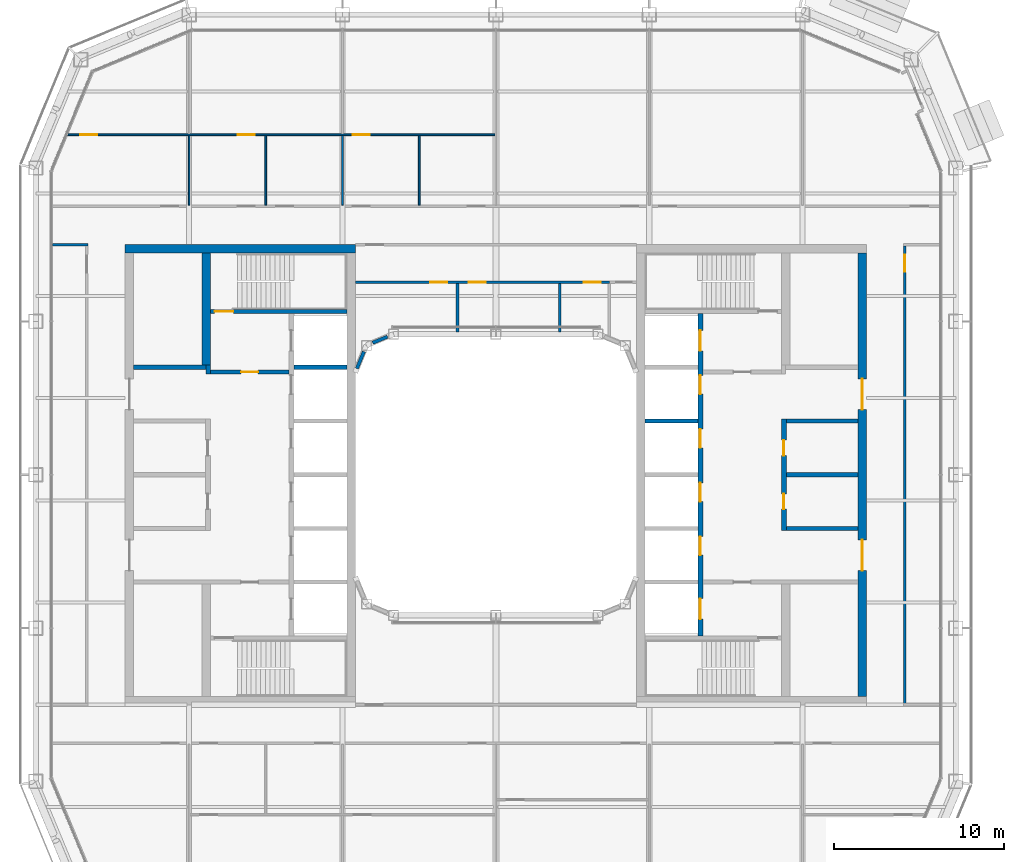
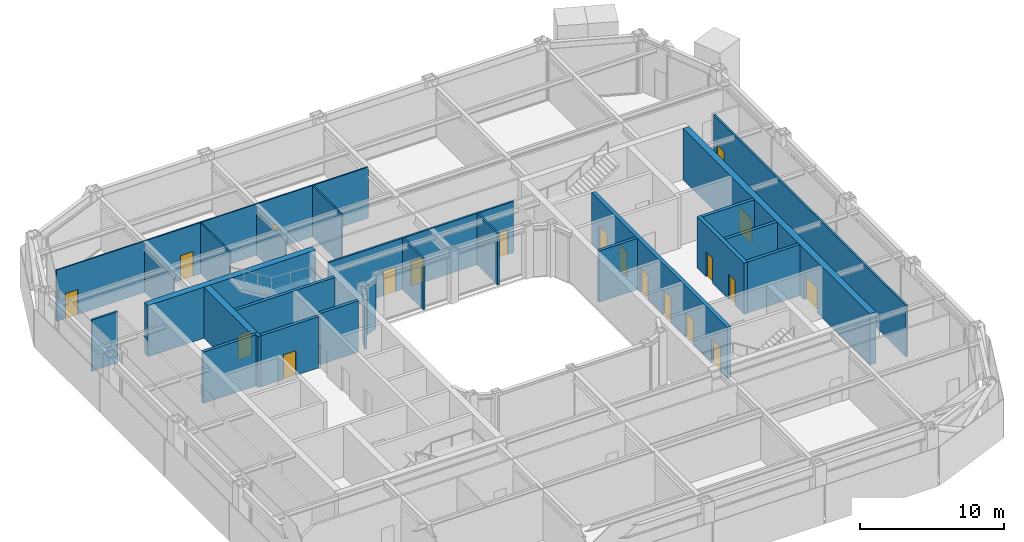
# One storey, part 14 of 23: 26 walls, 19 doors, 19 openings.
"""IFC4 building model written with IfcOpenShell, lengths in metres."""

from ifc_helpers import new_model, si_unit, direction, frame, frame_2d, origin, place, context, subcontext, project, spatial, rectangle, extrude, material, layer, layer_set, type_object, element, fill, save


model = new_model("IFC4")

# Units and contexts
model_context = context("Model", 3, precision=1e-05, world=origin(), true_north=direction((0.0, 1.0)))
body_context = subcontext(model_context, "Body", "Model", "MODEL_VIEW")
ifc_project = project(units=[si_unit("LENGTHUNIT", "METRE"), si_unit("AREAUNIT", "SQUARE_METRE"), si_unit("VOLUMEUNIT", "CUBIC_METRE"), si_unit("PLANEANGLEUNIT", "RADIAN"), si_unit("MASSUNIT", "GRAM", prefix="KILO")], contexts=[model_context])

# Site, building, storey
site_placement = place(None, origin())
site = spatial("IfcSite", under=ifc_project, at=site_placement, CompositionType="ELEMENT")
building_placement = place(site_placement, origin())
building = spatial("IfcBuilding", under=site, at=building_placement, Name="Siwar Civic Tower", CompositionType="ELEMENT")
storey_placement = place(building_placement, frame((0.0, 0.0, 224.199951171875)))
storey = spatial("IfcBuildingStorey", under=building, at=storey_placement, Name="L48", CompositionType="ELEMENT", Elevation=224.199951171875)

# Wall, opening, door
ifc_material_1 = material(Name="Concrete C60/75", Category="concrete")
ifc_layer_1 = layer(ifc_material_1, 0.25)
ifc_layer_set_1 = layer_set([ifc_layer_1], Name="Concrete C60/75")
wall_type_1 = type_object("IfcWallType", Name="CORE-WALL-RC250", PredefinedType="SHEAR", material=ifc_layer_set_1)
wall_1_placement = place(storey_placement, frame((-12.14990234375, 6.02490234375, 0.0), z_axis=(0.0, 0.0, 1.0), x_axis=(-1.0, 0.0, 0.0)))
wall_1 = element("IfcWall", 1, at=wall_1_placement, inside=storey, type_object=wall_type_1, Name="Core wall W", PredefinedType="SHEAR", context=body_context, shape_type="SweptSolid", body=[
    extrude(rectangle(XDim=4.60009765625, YDim=0.25, at=frame_2d((2.300048828125, 0.0))), origin(), (0.0, 0.0, 1.0), 4.35009765625),
])
opening_1_placement = place(wall_1_placement, frame((1.800048828125, 0.0, 0.0)))
opening_1 = element("IfcOpeningElement", 2, at=opening_1_placement, cuts=wall_1, Name="Opening L48-CW01", PredefinedType="OPENING", context=body_context, shape_type="SweptSolid", body=[
    extrude(rectangle(XDim=1.0, YDim=2.10009765625, at=frame_2d((0.5, 1.050048828125))), frame((0.0, 0.135009765625, 0.0), z_axis=(0.0, -1.0, 0.0), x_axis=(1.0, 0.0, 0.0)), (0.0, 0.0, 1.0), 0.27001953125),
])
ifc_material_2 = material(Name="Steel door leaf", Category="steel")
door_type_1 = type_object("IfcDoorType", Name="CORE-DOOR-FD30S", OperationType="SINGLE_SWING_LEFT", PredefinedType="DOOR", material=ifc_material_2)
door_1_placement = place(opening_1_placement, origin())
door_1 = element("IfcDoor", 3, at=door_1_placement, inside=storey, type_object=door_type_1, Name="Firefighting lobby door L48-CW01", OperationType="SINGLE_SWING_LEFT", OverallHeight=2.10009765625, OverallWidth=1.0, PredefinedType="DOOR", context=body_context, shape_type="SweptSolid", body=[
    extrude(rectangle(XDim=1.0, YDim=2.10009765625, at=frame_2d((0.5, 1.050048828125))), frame((0.0, 0.02490234375, 0.0), z_axis=(0.0, -1.0, 0.0), x_axis=(1.0, 0.0, 0.0)), (0.0, 0.0, 1.0), 0.050048828125),
])
fill(opening_1, door_1)

# Walls
wall_2_placement = place(storey_placement, frame((-16.875, 5.89990234375, 0.0), z_axis=(0.0, 0.0, 1.0), x_axis=(0.0, 1.0, 0.0)))
element("IfcWall", 4, at=wall_2_placement, inside=storey, type_object=wall_type_1, Name="Core wall W", PredefinedType="SHEAR", context=body_context, shape_type="SweptSolid", body=[
    extrude(rectangle(XDim=0.525146484375, YDim=0.25, at=frame_2d((0.2626953125, 0.0))), origin(), (0.0, 0.0, 1.0), 4.35009765625),
])
wall_3_placement = place(storey_placement, frame((-17.0, 6.300048828125, 0.0), z_axis=(0.0, 0.0, 1.0), x_axis=(-1.0, 0.0, 0.0)))
element("IfcWall", 5, at=wall_3_placement, inside=storey, type_object=wall_type_1, Name="Core wall W", PredefinedType="SHEAR", context=body_context, shape_type="SweptSolid", body=[
    extrude(rectangle(XDim=4.25, YDim=0.25, at=frame_2d((2.125, 0.0))), origin(), (0.0, 0.0, 1.0), 4.35009765625),
])
wall_4_placement = place(storey_placement, frame((-8.75, 6.300048828125, 0.0), z_axis=(0.0, 0.0, 1.0), x_axis=(-1.0, 0.0, 0.0)))
element("IfcWall", 6, at=wall_4_placement, inside=storey, type_object=wall_type_1, Name="Core wall W", PredefinedType="SHEAR", context=body_context, shape_type="SweptSolid", body=[
    extrude(rectangle(XDim=3.10009765625, YDim=0.25, at=frame_2d((1.550048828125, 0.0))), origin(), (0.0, 0.0, 1.0), 4.35009765625),
])

# Wall, opening, door
wall_5_placement = place(storey_placement, frame((-8.75, 9.574951171875, 0.0), z_axis=(0.0, 0.0, 1.0), x_axis=(-1.0, 0.0, 0.0)))
wall_5 = element("IfcWall", 7, at=wall_5_placement, inside=storey, type_object=wall_type_1, Name="Core wall W", PredefinedType="SHEAR", context=body_context, shape_type="SweptSolid", body=[
    extrude(rectangle(XDim=8.0, YDim=0.25, at=frame_2d((4.0, 0.0))), origin(), (0.0, 0.0, 1.0), 4.35009765625),
])
opening_2_placement = place(wall_5_placement, frame((6.64990234375, 0.0, 0.0)))
opening_2 = element("IfcOpeningElement", 8, at=opening_2_placement, cuts=wall_5, Name="Opening L48-CW03", PredefinedType="OPENING", context=body_context, shape_type="SweptSolid", body=[
    extrude(rectangle(XDim=1.10009765625, YDim=2.10009765625, at=frame_2d((0.550048828125, 1.050048828125))), frame((0.0, 0.135009765625, 0.0), z_axis=(0.0, -1.0, 0.0), x_axis=(1.0, 0.0, 0.0)), (0.0, 0.0, 1.0), 0.27001953125),
])
ifc_material_3 = material(Name="Steel door leaf", Category="steel")
door_type_2 = type_object("IfcDoorType", Name="CORE-DOOR-FD60S", OperationType="SINGLE_SWING_LEFT", PredefinedType="DOOR", material=ifc_material_3)
door_2_placement = place(opening_2_placement, origin())
door_2 = element("IfcDoor", 9, at=door_2_placement, inside=storey, type_object=door_type_2, Name="Stair door L48-CW03", OperationType="SINGLE_SWING_RIGHT", OverallHeight=2.10009765625, OverallWidth=1.10009765625, PredefinedType="DOOR", context=body_context, shape_type="SweptSolid", body=[
    extrude(rectangle(XDim=1.10009765625, YDim=2.10009765625, at=frame_2d((0.550048828125, 1.050048828125))), frame((0.0, 0.02490234375, 0.0), z_axis=(0.0, -1.0, 0.0), x_axis=(1.0, 0.0, 0.0)), (0.0, 0.0, 1.0), 0.050048828125),
])
fill(opening_2, door_2)

# Walls
for number, where, z_axis, x_axis, name in (
    (10, (17.050048828125, 0.0, 0.0), (0.0, 0.0, 1.0), (1.0, 0.0, 0.0), "Core wall E"),
    (11, (17.050048828125, 3.14990234375, 0.0), (0.0, 0.0, 1.0), (1.0, 0.0, 0.0), "Core wall E"),
    (12, (17.050048828125, -3.14990234375, 0.0), (0.0, 0.0, 1.0), (1.0, 0.0, 0.0), "Core wall E"),
):
    element("IfcWall", number, at=place(storey_placement, frame(where, z_axis=z_axis, x_axis=x_axis)), inside=storey, type_object=wall_type_1, Name=name, PredefinedType="SHEAR", context=body_context, shape_type="SweptSolid", body=[
        extrude(rectangle(XDim=4.199951171875, YDim=0.25, at=frame_2d((2.10009765625, 0.0))), origin(), (0.0, 0.0, 1.0), 4.35009765625),
    ])
wall_6_placement = place(storey_placement, frame((8.75, 3.14990234375, 0.0), z_axis=(0.0, 0.0, 1.0), x_axis=(1.0, 0.0, 0.0)))
element("IfcWall", 13, at=wall_6_placement, inside=storey, type_object=wall_type_1, Name="Core wall E", PredefinedType="SHEAR", context=body_context, shape_type="SweptSolid", body=[
    extrude(rectangle(XDim=3.10009765625, YDim=0.25, at=frame_2d((1.550048828125, 0.0))), origin(), (0.0, 0.0, 1.0), 4.35009765625),
])

# Wall, openings, doors
ifc_material_4 = material(Name="Concrete C60/75", Category="concrete")
ifc_layer_2 = layer(ifc_material_4, 0.300048828125)
ifc_layer_set_2 = layer_set([ifc_layer_2], Name="Concrete C60/75")
wall_type_2 = type_object("IfcWallType", Name="CORE-WALL-RC300", PredefinedType="SHEAR", material=ifc_layer_set_2)
wall_7_placement = place(storey_placement, frame((12.0, -9.449951171875, 0.0), z_axis=(0.0, 0.0, 1.0), x_axis=(0.0, 1.0, 0.0)))
wall_7 = element("IfcWall", 14, at=wall_7_placement, inside=storey, type_object=wall_type_2, Name="Core wall E", PredefinedType="SHEAR", context=body_context, shape_type="SweptSolid", body=[
    extrude(rectangle(XDim=18.89990234375, YDim=0.300048828125, at=frame_2d((9.449951171875, 0.0))), origin(), (0.0, 0.0, 1.0), 4.35009765625),
])
opening_3_placement = place(wall_7_placement, frame((4.72509765625, 0.0, 0.0)))
opening_3 = element("IfcOpeningElement", 15, at=opening_3_placement, cuts=wall_7, Name="Opening L48-CE07", PredefinedType="OPENING", context=body_context, shape_type="SweptSolid", body=[
    extrude(rectangle(XDim=1.10009765625, YDim=2.10009765625, at=frame_2d((0.550048828125, 1.050048828125))), frame((0.0, 0.16015625, 0.0), z_axis=(0.0, -1.0, 0.0), x_axis=(1.0, 0.0, 0.0)), (0.0, 0.0, 1.0), 0.320068359375),
])
opening_4_placement = place(wall_7_placement, frame((7.875, 0.0, 0.0)))
opening_4 = element("IfcOpeningElement", 16, at=opening_4_placement, cuts=wall_7, Name="Opening L48-CE08", PredefinedType="OPENING", context=body_context, shape_type="SweptSolid", body=[
    extrude(rectangle(XDim=1.10009765625, YDim=2.10009765625, at=frame_2d((0.550048828125, 1.050048828125))), frame((0.0, 0.16015625, 0.0), z_axis=(0.0, -1.0, 0.0), x_axis=(1.0, 0.0, 0.0)), (0.0, 0.0, 1.0), 0.320068359375),
])
opening_5_placement = place(wall_7_placement, frame((11.02490234375, 0.0, 0.0)))
opening_5 = element("IfcOpeningElement", 17, at=opening_5_placement, cuts=wall_7, Name="Opening L48-CE09", PredefinedType="OPENING", context=body_context, shape_type="SweptSolid", body=[
    extrude(rectangle(XDim=1.10009765625, YDim=2.10009765625, at=frame_2d((0.550048828125, 1.050048828125))), frame((0.0, 0.16015625, 0.0), z_axis=(0.0, -1.0, 0.0), x_axis=(1.0, 0.0, 0.0)), (0.0, 0.0, 1.0), 0.320068359375),
])
opening_6_placement = place(wall_7_placement, frame((14.175048828125, 0.0, 0.0)))
opening_6 = element("IfcOpeningElement", 18, at=opening_6_placement, cuts=wall_7, Name="Opening L48-CE10", PredefinedType="OPENING", context=body_context, shape_type="SweptSolid", body=[
    extrude(rectangle(XDim=1.10009765625, YDim=2.10009765625, at=frame_2d((0.550048828125, 1.050048828125))), frame((0.0, 0.16015625, 0.0), z_axis=(0.0, -1.0, 0.0), x_axis=(1.0, 0.0, 0.0)), (0.0, 0.0, 1.0), 0.320068359375),
])
opening_7_placement = place(wall_7_placement, frame((16.72509765625, 0.0, 0.0)))
opening_7 = element("IfcOpeningElement", 19, at=opening_7_placement, cuts=wall_7, Name="Opening L48-CE11", PredefinedType="OPENING", context=body_context, shape_type="SweptSolid", body=[
    extrude(rectangle(XDim=1.199951171875, YDim=2.10009765625, at=frame_2d((0.60009765625, 1.050048828125))), frame((0.0, 0.16015625, 0.0), z_axis=(0.0, -1.0, 0.0), x_axis=(1.0, 0.0, 0.0)), (0.0, 0.0, 1.0), 0.320068359375),
])
opening_8_placement = place(wall_7_placement, frame((0.97509765625, 0.0, 0.0)))
opening_8 = element("IfcOpeningElement", 20, at=opening_8_placement, cuts=wall_7, Name="Opening L48-CE12", PredefinedType="OPENING", context=body_context, shape_type="SweptSolid", body=[
    extrude(rectangle(XDim=1.199951171875, YDim=2.10009765625, at=frame_2d((0.60009765625, 1.050048828125))), frame((0.0, 0.16015625, 0.0), z_axis=(0.0, -1.0, 0.0), x_axis=(1.0, 0.0, 0.0)), (0.0, 0.0, 1.0), 0.320068359375),
])
ifc_material_5 = material(Name="Steel door leaf", Category="steel")
door_type_3 = type_object("IfcDoorType", Name="CORE-DOOR-LD", OperationType="DOUBLE_DOOR_SLIDING", PredefinedType="DOOR", material=ifc_material_5)
door_3_placement = place(opening_3_placement, origin())
door_3 = element("IfcDoor", 21, at=door_3_placement, inside=storey, type_object=door_type_3, Name="Landing door HR5 L48-CE07", OperationType="DOUBLE_DOOR_SLIDING", OverallHeight=2.10009765625, OverallWidth=1.10009765625, PredefinedType="DOOR", context=body_context, shape_type="SweptSolid", body=[
    extrude(rectangle(XDim=1.10009765625, YDim=2.10009765625, at=frame_2d((0.550048828125, 1.050048828125))), frame((0.0, 0.02490234375, 0.0), z_axis=(0.0, -1.0, 0.0), x_axis=(1.0, 0.0, 0.0)), (0.0, 0.0, 1.0), 0.050048828125),
])
fill(opening_3, door_3)
door_4_placement = place(opening_4_placement, origin())
door_4 = element("IfcDoor", 22, at=door_4_placement, inside=storey, type_object=door_type_3, Name="Landing door HR6 L48-CE08", OperationType="DOUBLE_DOOR_SLIDING", OverallHeight=2.10009765625, OverallWidth=1.10009765625, PredefinedType="DOOR", context=body_context, shape_type="SweptSolid", body=[
    extrude(rectangle(XDim=1.10009765625, YDim=2.10009765625, at=frame_2d((0.550048828125, 1.050048828125))), frame((0.0, 0.02490234375, 0.0), z_axis=(0.0, -1.0, 0.0), x_axis=(1.0, 0.0, 0.0)), (0.0, 0.0, 1.0), 0.050048828125),
])
fill(opening_4, door_4)
door_5_placement = place(opening_5_placement, origin())
door_5 = element("IfcDoor", 23, at=door_5_placement, inside=storey, type_object=door_type_3, Name="Landing door HR7 L48-CE09", OperationType="DOUBLE_DOOR_SLIDING", OverallHeight=2.10009765625, OverallWidth=1.10009765625, PredefinedType="DOOR", context=body_context, shape_type="SweptSolid", body=[
    extrude(rectangle(XDim=1.10009765625, YDim=2.10009765625, at=frame_2d((0.550048828125, 1.050048828125))), frame((0.0, 0.02490234375, 0.0), z_axis=(0.0, -1.0, 0.0), x_axis=(1.0, 0.0, 0.0)), (0.0, 0.0, 1.0), 0.050048828125),
])
fill(opening_5, door_5)
door_6_placement = place(opening_6_placement, origin())
door_6 = element("IfcDoor", 24, at=door_6_placement, inside=storey, type_object=door_type_3, Name="Landing door HR8 L48-CE10", OperationType="DOUBLE_DOOR_SLIDING", OverallHeight=2.10009765625, OverallWidth=1.10009765625, PredefinedType="DOOR", context=body_context, shape_type="SweptSolid", body=[
    extrude(rectangle(XDim=1.10009765625, YDim=2.10009765625, at=frame_2d((0.550048828125, 1.050048828125))), frame((0.0, 0.02490234375, 0.0), z_axis=(0.0, -1.0, 0.0), x_axis=(1.0, 0.0, 0.0)), (0.0, 0.0, 1.0), 0.050048828125),
])
fill(opening_6, door_6)
ifc_material_6 = material(Name="Steel door leaf", Category="steel")
door_type_4 = type_object("IfcDoorType", Name="CORE-DOOR-LDW", OperationType="DOUBLE_DOOR_SLIDING", PredefinedType="DOOR", material=ifc_material_6)
door_7_placement = place(opening_7_placement, origin())
door_7 = element("IfcDoor", 25, at=door_7_placement, inside=storey, type_object=door_type_4, Name="Landing door FF2 L48-CE11", OperationType="DOUBLE_DOOR_SLIDING", OverallHeight=2.10009765625, OverallWidth=1.199951171875, PredefinedType="DOOR", context=body_context, shape_type="SweptSolid", body=[
    extrude(rectangle(XDim=1.199951171875, YDim=2.10009765625, at=frame_2d((0.60009765625, 1.050048828125))), frame((0.0, 0.02490234375, 0.0), z_axis=(0.0, -1.0, 0.0), x_axis=(1.0, 0.0, 0.0)), (0.0, 0.0, 1.0), 0.050048828125),
])
fill(opening_7, door_7)
door_8_placement = place(opening_8_placement, origin())
door_8 = element("IfcDoor", 26, at=door_8_placement, inside=storey, type_object=door_type_4, Name="Landing door SV2 L48-CE12", OperationType="DOUBLE_DOOR_SLIDING", OverallHeight=2.10009765625, OverallWidth=1.199951171875, PredefinedType="DOOR", context=body_context, shape_type="SweptSolid", body=[
    extrude(rectangle(XDim=1.199951171875, YDim=2.10009765625, at=frame_2d((0.60009765625, 1.050048828125))), frame((0.0, 0.02490234375, 0.0), z_axis=(0.0, -1.0, 0.0), x_axis=(1.0, 0.0, 0.0)), (0.0, 0.0, 1.0), 0.050048828125),
])
fill(opening_8, door_8)

wall_8_placement = place(storey_placement, frame((16.89990234375, -3.27490234375, 0.0), z_axis=(0.0, 0.0, 1.0), x_axis=(0.0, 1.0, 0.0)))
wall_8 = element("IfcWall", 27, at=wall_8_placement, inside=storey, type_object=wall_type_2, Name="Core wall E", PredefinedType="SHEAR", context=body_context, shape_type="SweptSolid", body=[
    extrude(rectangle(XDim=6.5498046875, YDim=0.300048828125, at=frame_2d((3.27490234375, 0.0))), origin(), (0.0, 0.0, 1.0), 4.35009765625),
])
opening_9_placement = place(wall_8_placement, frame((1.25, 0.0, 0.0)))
opening_9 = element("IfcOpeningElement", 28, at=opening_9_placement, cuts=wall_8, Name="Opening L48-CE13", PredefinedType="OPENING", context=body_context, shape_type="SweptSolid", body=[
    extrude(rectangle(XDim=0.89990234375, YDim=2.10009765625, at=frame_2d((0.449951171875, 1.050048828125))), frame((0.0, 0.16015625, 0.0), z_axis=(0.0, -1.0, 0.0), x_axis=(1.0, 0.0, 0.0)), (0.0, 0.0, 1.0), 0.320068359375),
])
opening_10_placement = place(wall_8_placement, frame((4.39990234375, 0.0, 0.0)))
opening_10 = element("IfcOpeningElement", 29, at=opening_10_placement, cuts=wall_8, Name="Opening L48-CE14", PredefinedType="OPENING", context=body_context, shape_type="SweptSolid", body=[
    extrude(rectangle(XDim=0.89990234375, YDim=2.10009765625, at=frame_2d((0.449951171875, 1.050048828125))), frame((0.0, 0.16015625, 0.0), z_axis=(0.0, -1.0, 0.0), x_axis=(1.0, 0.0, 0.0)), (0.0, 0.0, 1.0), 0.320068359375),
])
ifc_material_7 = material(Name="Steel door leaf", Category="steel")
door_type_5 = type_object("IfcDoorType", Name="CORE-DOOR-ROOM", OperationType="SINGLE_SWING_LEFT", PredefinedType="DOOR", material=ifc_material_7)
door_9_placement = place(opening_9_placement, origin())
door_9 = element("IfcDoor", 30, at=door_9_placement, inside=storey, type_object=door_type_5, Name="Core room door L48-CE13", OperationType="SINGLE_SWING_RIGHT", OverallHeight=2.10009765625, OverallWidth=0.89990234375, PredefinedType="DOOR", context=body_context, shape_type="SweptSolid", body=[
    extrude(rectangle(XDim=0.89990234375, YDim=2.10009765625, at=frame_2d((0.449951171875, 1.050048828125))), frame((0.0, 0.02490234375, 0.0), z_axis=(0.0, -1.0, 0.0), x_axis=(1.0, 0.0, 0.0)), (0.0, 0.0, 1.0), 0.050048828125),
])
fill(opening_9, door_9)
door_10_placement = place(opening_10_placement, origin())
door_10 = element("IfcDoor", 31, at=door_10_placement, inside=storey, type_object=door_type_5, Name="Core room door L48-CE14", OperationType="SINGLE_SWING_LEFT", OverallHeight=2.10009765625, OverallWidth=0.89990234375, PredefinedType="DOOR", context=body_context, shape_type="SweptSolid", body=[
    extrude(rectangle(XDim=0.89990234375, YDim=2.10009765625, at=frame_2d((0.449951171875, 1.050048828125))), frame((0.0, 0.02490234375, 0.0), z_axis=(0.0, -1.0, 0.0), x_axis=(1.0, 0.0, 0.0)), (0.0, 0.0, 1.0), 0.050048828125),
])
fill(opening_10, door_10)

# Walls
ifc_material_8 = material(Name="Concrete C60/75", Category="concrete")
ifc_layer_3 = layer(ifc_material_8, 0.5)
ifc_layer_set_3 = layer_set([ifc_layer_3], Name="Concrete C60/75")
wall_type_3 = type_object("IfcWallType", Name="CORE-WALL-RC500", PredefinedType="SHEAR", material=ifc_layer_set_3)
wall_9_placement = place(storey_placement, frame((-17.0, 6.425048828125, 0.0), z_axis=(0.0, 0.0, 1.0), x_axis=(0.0, 1.0, 0.0)))
element("IfcWall", 32, at=wall_9_placement, inside=storey, type_object=wall_type_3, Name="Core wall W", PredefinedType="SHEAR", context=body_context, shape_type="SweptSolid", body=[
    extrude(rectangle(XDim=6.574951171875, YDim=0.5, at=frame_2d((3.28759765625, 0.0))), origin(), (0.0, 0.0, 1.0), 4.35009765625),
])
wall_10_placement = place(storey_placement, frame((-8.25, 13.25, 0.0), z_axis=(0.0, 0.0, 1.0), x_axis=(-1.0, 0.0, 0.0)))
element("IfcWall", 33, at=wall_10_placement, inside=storey, type_object=wall_type_3, Name="Core wall W", PredefinedType="SHEAR", context=body_context, shape_type="SweptSolid", body=[
    extrude(rectangle(XDim=13.5, YDim=0.5, at=frame_2d((6.75, 0.0))), origin(), (0.0, 0.0, 1.0), 4.35009765625),
])

# Wall, openings, doors
wall_11_placement = place(storey_placement, frame((21.5, -13.0, 0.0), z_axis=(0.0, 0.0, 1.0), x_axis=(0.0, 1.0, 0.0)))
wall_11 = element("IfcWall", 34, at=wall_11_placement, inside=storey, type_object=wall_type_3, Name="Core wall E", PredefinedType="SHEAR", context=body_context, shape_type="SweptSolid", body=[
    extrude(rectangle(XDim=26.0, YDim=0.5, at=frame_2d((13.0, 0.0))), origin(), (0.0, 0.0, 1.0), 4.35009765625),
])
opening_11_placement = place(wall_11_placement, frame((16.824951171875, 0.0, 0.0)))
opening_11 = element("IfcOpeningElement", 35, at=opening_11_placement, cuts=wall_11, Name="Opening L48-CE05", PredefinedType="OPENING", context=body_context, shape_type="SweptSolid", body=[
    extrude(rectangle(XDim=1.800048828125, YDim=2.10009765625, at=frame_2d((0.89990234375, 1.050048828125))), frame((0.0, 0.260009765625, 0.0), z_axis=(0.0, -1.0, 0.0), x_axis=(1.0, 0.0, 0.0)), (0.0, 0.0, 1.0), 0.52001953125),
])
opening_12_placement = place(wall_11_placement, frame((7.375, 0.0, 0.0)))
opening_12 = element("IfcOpeningElement", 36, at=opening_12_placement, cuts=wall_11, Name="Opening L48-CE06", PredefinedType="OPENING", context=body_context, shape_type="SweptSolid", body=[
    extrude(rectangle(XDim=1.800048828125, YDim=2.10009765625, at=frame_2d((0.89990234375, 1.050048828125))), frame((0.0, 0.260009765625, 0.0), z_axis=(0.0, -1.0, 0.0), x_axis=(1.0, 0.0, 0.0)), (0.0, 0.0, 1.0), 0.52001953125),
])
ifc_material_9 = material(Name="Steel door leaf", Category="steel")
door_type_6 = type_object("IfcDoorType", Name="CORE-DOOR-PORT", OperationType="DOUBLE_DOOR_DOUBLE_SWING", PredefinedType="DOOR", material=ifc_material_9)
door_11_placement = place(opening_11_placement, origin())
door_11 = element("IfcDoor", 37, at=door_11_placement, inside=storey, type_object=door_type_6, Name="Core entrance door L48-CE05", OperationType="DOUBLE_DOOR_DOUBLE_SWING", OverallHeight=2.10009765625, OverallWidth=1.800048828125, PredefinedType="DOOR", context=body_context, shape_type="SweptSolid", body=[
    extrude(rectangle(XDim=1.800048828125, YDim=2.10009765625, at=frame_2d((0.89990234375, 1.050048828125))), frame((0.0, 0.02490234375, 0.0), z_axis=(0.0, -1.0, 0.0), x_axis=(1.0, 0.0, 0.0)), (0.0, 0.0, 1.0), 0.050048828125),
])
fill(opening_11, door_11)
door_12_placement = place(opening_12_placement, origin())
door_12 = element("IfcDoor", 38, at=door_12_placement, inside=storey, type_object=door_type_6, Name="Core entrance door L48-CE06", OperationType="DOUBLE_DOOR_DOUBLE_SWING", OverallHeight=2.10009765625, OverallWidth=1.800048828125, PredefinedType="DOOR", context=body_context, shape_type="SweptSolid", body=[
    extrude(rectangle(XDim=1.800048828125, YDim=2.10009765625, at=frame_2d((0.89990234375, 1.050048828125))), frame((0.0, 0.02490234375, 0.0), z_axis=(0.0, -1.0, 0.0), x_axis=(1.0, 0.0, 0.0)), (0.0, 0.0, 1.0), 0.050048828125),
])
fill(opening_12, door_12)

ifc_material_10 = material(Name="Gypsum board on steel studs", Category="steel")
ifc_layer_4 = layer(ifc_material_10, 0.14990234375)
ifc_layer_set_4 = layer_set([ifc_layer_4], Name="Gypsum board on steel studs")
wall_type_4 = type_object("IfcWallType", Name="CORRIDOR PARTITION 150 EI 30", PredefinedType="PARTITIONING", material=ifc_layer_set_4)
wall_12_placement = place(storey_placement, frame((-8.25, 11.300048828125, 0.0), z_axis=(0.0, 0.0, 1.0), x_axis=(1.0, 0.0, 0.0)))
wall_12 = element("IfcWall", 39, at=wall_12_placement, inside=storey, type_object=wall_type_4, Name="L48/wall/P08", PredefinedType="PARTITIONING", context=body_context, shape_type="SweptSolid", body=[
    extrude(rectangle(XDim=14.909912109375, YDim=0.14990234375, at=frame_2d((7.455078125, 0.0))), origin(), (0.0, 0.0, 1.0), 4.35009765625),
])
opening_13_placement = place(wall_12_placement, frame((4.39990234375, 0.0, 0.0)))
opening_13 = element("IfcOpeningElement", 40, at=opening_13_placement, cuts=wall_12, Name="Opening D3", PredefinedType="OPENING", context=body_context, shape_type="SweptSolid", body=[
    extrude(rectangle(XDim=1.0, YDim=2.10009765625, at=frame_2d((0.5, 1.050048828125))), frame((0.0, 0.0849609375, 0.0), z_axis=(0.0, -1.0, 0.0), x_axis=(1.0, 0.0, 0.0)), (0.0, 0.0, 1.0), 0.169921875),
])
opening_14_placement = place(wall_12_placement, frame((6.64990234375, 0.0, 0.0)))
opening_14 = element("IfcOpeningElement", 41, at=opening_14_placement, cuts=wall_12, Name="Opening D3", PredefinedType="OPENING", context=body_context, shape_type="SweptSolid", body=[
    extrude(rectangle(XDim=1.0, YDim=2.10009765625, at=frame_2d((0.5, 1.050048828125))), frame((0.0, 0.0849609375, 0.0), z_axis=(0.0, -1.0, 0.0), x_axis=(1.0, 0.0, 0.0)), (0.0, 0.0, 1.0), 0.169921875),
])
opening_15_placement = place(wall_12_placement, frame((13.39990234375, 0.0, 0.0)))
opening_15 = element("IfcOpeningElement", 42, at=opening_15_placement, cuts=wall_12, Name="Opening D3", PredefinedType="OPENING", context=body_context, shape_type="SweptSolid", body=[
    extrude(rectangle(XDim=1.0, YDim=2.10009765625, at=frame_2d((0.5, 1.050048828125))), frame((0.0, 0.0849609375, 0.0), z_axis=(0.0, -1.0, 0.0), x_axis=(1.0, 0.0, 0.0)), (0.0, 0.0, 1.0), 0.169921875),
])
ifc_material_11 = material(Name="Timber, painted", Category="wood")
door_type_7 = type_object("IfcDoorType", Name="DOOR 1000 X 2100 WC", OperationType="SINGLE_SWING_LEFT", PredefinedType="DOOR", material=ifc_material_11)
door_13_placement = place(opening_13_placement, origin())
door_13 = element("IfcDoor", 43, at=door_13_placement, inside=storey, type_object=door_type_7, Name="L48-D26", OperationType="SINGLE_SWING_RIGHT", OverallHeight=2.10009765625, OverallWidth=1.0, PredefinedType="DOOR", context=body_context, shape_type="SweptSolid", body=[
    extrude(rectangle(XDim=1.0, YDim=2.10009765625, at=frame_2d((0.5, 1.050048828125))), frame((0.0, 0.02490234375, 0.0), z_axis=(0.0, -1.0, 0.0), x_axis=(1.0, 0.0, 0.0)), (0.0, 0.0, 1.0), 0.050048828125),
])
fill(opening_13, door_13)
door_14_placement = place(opening_14_placement, origin())
door_14 = element("IfcDoor", 44, at=door_14_placement, inside=storey, type_object=door_type_7, Name="L48-D27", OperationType="SINGLE_SWING_LEFT", OverallHeight=2.10009765625, OverallWidth=1.0, PredefinedType="DOOR", context=body_context, shape_type="SweptSolid", body=[
    extrude(rectangle(XDim=1.0, YDim=2.10009765625, at=frame_2d((0.5, 1.050048828125))), frame((0.0, 0.02490234375, 0.0), z_axis=(0.0, -1.0, 0.0), x_axis=(1.0, 0.0, 0.0)), (0.0, 0.0, 1.0), 0.050048828125),
])
fill(opening_14, door_14)
door_15_placement = place(opening_15_placement, origin())
door_15 = element("IfcDoor", 45, at=door_15_placement, inside=storey, type_object=door_type_7, Name="L48-D28", OperationType="SINGLE_SWING_RIGHT", OverallHeight=2.10009765625, OverallWidth=1.0, PredefinedType="DOOR", context=body_context, shape_type="SweptSolid", body=[
    extrude(rectangle(XDim=1.0, YDim=2.10009765625, at=frame_2d((0.5, 1.050048828125))), frame((0.0, 0.02490234375, 0.0), z_axis=(0.0, -1.0, 0.0), x_axis=(1.0, 0.0, 0.0)), (0.0, 0.0, 1.0), 0.050048828125),
])
fill(opening_15, door_15)

# Walls
wall_13_placement = place(storey_placement, frame((-26.010009765625, 13.5, 0.0), z_axis=(0.0, 0.0, 1.0), x_axis=(1.0, 0.0, 0.0)))
element("IfcWall", 46, at=wall_13_placement, inside=storey, type_object=wall_type_4, Name="L48/wall/P10", PredefinedType="PARTITIONING", context=body_context, shape_type="SweptSolid", body=[
    extrude(rectangle(XDim=2.0849609375, YDim=0.14990234375, at=frame_2d((1.04248046875, 0.0))), origin(), (0.0, 0.0, 1.0), 4.35009765625),
])
for number, where, z_axis, x_axis, name in (
    (47, (-2.25, 8.3701171875, 0.0), (0.0, 0.0, 1.0), (0.0, 1.0, 0.0), "L48/wall/P26"),
    (48, (3.75, 8.3701171875, 0.0), (0.0, 0.0, 1.0), (0.0, 1.0, 0.0), "L48/wall/P29"),
):
    element("IfcWall", number, at=place(storey_placement, frame(where, z_axis=z_axis, x_axis=x_axis)), inside=storey, type_object=wall_type_4, Name=name, PredefinedType="PARTITIONING", context=body_context, shape_type="SweptSolid", body=[
        extrude(rectangle(XDim=2.85498046875, YDim=0.14990234375, at=frame_2d((1.427490234375, 0.0))), origin(), (0.0, 0.0, 1.0), 4.35009765625),
    ])

# Wall, opening, door
wall_14_placement = place(storey_placement, frame((24.0, -13.425048828125, 0.0), z_axis=(0.0, 0.0, 1.0), x_axis=(0.0, 1.0, 0.0)))
wall_14 = element("IfcWall", 49, at=wall_14_placement, inside=storey, type_object=wall_type_4, Name="L48/wall/P35", PredefinedType="PARTITIONING", context=body_context, shape_type="SweptSolid", body=[
    extrude(rectangle(XDim=26.85009765625, YDim=0.14990234375, at=frame_2d((13.425048828125, 0.0))), origin(), (0.0, 0.0, 1.0), 4.35009765625),
])
opening_16_placement = place(wall_14_placement, frame((25.324951171875, 0.0, 0.0)))
opening_16 = element("IfcOpeningElement", 50, at=opening_16_placement, cuts=wall_14, Name="Opening D1", PredefinedType="OPENING", context=body_context, shape_type="SweptSolid", body=[
    extrude(rectangle(XDim=1.0, YDim=2.10009765625, at=frame_2d((0.5, 1.050048828125))), frame((0.0, 0.0849609375, 0.0), z_axis=(0.0, -1.0, 0.0), x_axis=(1.0, 0.0, 0.0)), (0.0, 0.0, 1.0), 0.169921875),
])
ifc_material_12 = material(Name="Timber, painted", Category="wood")
door_type_8 = type_object("IfcDoorType", Name="DOOR 1000 X 2100 FD30", OperationType="SINGLE_SWING_LEFT", PredefinedType="DOOR", material=ifc_material_12)
door_16_placement = place(opening_16_placement, origin())
door_16 = element("IfcDoor", 51, at=door_16_placement, inside=storey, type_object=door_type_8, Name="L48-D24", OperationType="SINGLE_SWING_RIGHT", OverallHeight=2.10009765625, OverallWidth=1.0, PredefinedType="DOOR", context=body_context, shape_type="SweptSolid", body=[
    extrude(rectangle(XDim=1.0, YDim=2.10009765625, at=frame_2d((0.5, 1.050048828125))), frame((0.0, 0.02490234375, 0.0), z_axis=(0.0, -1.0, 0.0), x_axis=(1.0, 0.0, 0.0)), (0.0, 0.0, 1.0), 0.050048828125),
])
fill(opening_16, door_16)

# Walls
ifc_material_13 = material(Name="Aluminium clad insulated panel", Category="aluminium")
ifc_layer_5 = layer(ifc_material_13, 0.199951171875)
ifc_layer_set_5 = layer_set([ifc_layer_5], Name="Aluminium clad insulated panel")
wall_type_5 = type_object("IfcWallType", Name="ENV-WALL-WELL", PredefinedType="STANDARD", material=ifc_layer_set_5)
wall_15_placement = place(storey_placement, frame((-6.362060546875, 8.10009765625, 0.0), z_axis=(0.0, 0.0, 1.0), x_axis=(-0.923829670615, -0.382803787458, 0.0)))
element("IfcWall", 52, at=wall_15_placement, inside=storey, type_object=wall_type_5, Name="Light well corner wall NW1", PredefinedType="STANDARD", context=body_context, shape_type="SweptSolid", body=[
    extrude(rectangle(XDim=0.938232421875, YDim=0.199951171875, at=frame_2d((0.46923828125, 0.0))), origin(), (0.0, 0.0, 1.0), 3.91796875),
])
wall_16_placement = place(storey_placement, frame((-7.740966796875, 7.228759765625, 0.0), z_axis=(0.0, 0.0, 1.0), x_axis=(-0.382704496366, -0.923870807235, 0.0)))
element("IfcWall", 53, at=wall_16_placement, inside=storey, type_object=wall_type_5, Name="Light well corner wall NW2", PredefinedType="STANDARD", context=body_context, shape_type="SweptSolid", body=[
    extrude(rectangle(XDim=1.080078125, YDim=0.199951171875, at=frame_2d((0.5400390625, 0.0))), origin(), (0.0, 0.0, 1.0), 3.91796875),
])

# Wall, openings, doors
ifc_material_14 = material(Name="Gypsum board on steel studs", Category="steel")
ifc_layer_6 = layer(ifc_material_14, 0.10009765625)
ifc_layer_set_6 = layer_set([ifc_layer_6], Name="Gypsum board on steel studs")
wall_type_6 = type_object("IfcWallType", Name="PARTITION 100 GYPSUM", PredefinedType="PARTITIONING", material=ifc_layer_set_6)
wall_17_placement = place(storey_placement, frame((-25.12109375, 19.949951171875, 0.0), z_axis=(0.0, 0.0, 1.0), x_axis=(1.0, 0.0, 0.0)))
wall_17 = element("IfcWall", 54, at=wall_17_placement, inside=storey, type_object=wall_type_6, Name="L48/wall/P14", PredefinedType="PARTITIONING", context=body_context, shape_type="SweptSolid", body=[
    extrude(rectangle(XDim=25.071044921875, YDim=0.10009765625, at=frame_2d((12.53564453125, 0.0))), origin(), (0.0, 0.0, 1.0), 4.35009765625),
])
opening_17_placement = place(wall_17_placement, frame((9.970947265625, 0.0, 0.0)))
opening_17 = element("IfcOpeningElement", 55, at=opening_17_placement, cuts=wall_17, Name="Opening D2", PredefinedType="OPENING", context=body_context, shape_type="SweptSolid", body=[
    extrude(rectangle(XDim=1.0, YDim=2.10009765625, at=frame_2d((0.5, 1.050048828125))), frame((0.0, 0.06005859375, 0.0), z_axis=(0.0, -1.0, 0.0), x_axis=(1.0, 0.0, 0.0)), (0.0, 0.0, 1.0), 0.1201171875),
])
opening_18_placement = place(wall_17_placement, frame((16.720947265625, 0.0, 0.0)))
opening_18 = element("IfcOpeningElement", 56, at=opening_18_placement, cuts=wall_17, Name="Opening D2", PredefinedType="OPENING", context=body_context, shape_type="SweptSolid", body=[
    extrude(rectangle(XDim=1.0, YDim=2.10009765625, at=frame_2d((0.5, 1.050048828125))), frame((0.0, 0.06005859375, 0.0), z_axis=(0.0, -1.0, 0.0), x_axis=(1.0, 0.0, 0.0)), (0.0, 0.0, 1.0), 0.1201171875),
])
opening_19_placement = place(wall_17_placement, frame((0.720947265625, 0.0, 0.0)))
opening_19 = element("IfcOpeningElement", 57, at=opening_19_placement, cuts=wall_17, Name="Opening D2", PredefinedType="OPENING", context=body_context, shape_type="SweptSolid", body=[
    extrude(rectangle(XDim=1.0, YDim=2.10009765625, at=frame_2d((0.5, 1.050048828125))), frame((0.0, 0.06005859375, 0.0), z_axis=(0.0, -1.0, 0.0), x_axis=(1.0, 0.0, 0.0)), (0.0, 0.0, 1.0), 0.1201171875),
])
ifc_material_15 = material(Name="Timber, painted", Category="wood")
door_type_9 = type_object("IfcDoorType", Name="DOOR 1000 X 2100", OperationType="SINGLE_SWING_LEFT", PredefinedType="DOOR", material=ifc_material_15)
door_17_placement = place(opening_17_placement, origin())
door_17 = element("IfcDoor", 58, at=door_17_placement, inside=storey, type_object=door_type_9, Name="L48-D03", OperationType="SINGLE_SWING_LEFT", OverallHeight=2.10009765625, OverallWidth=1.0, PredefinedType="DOOR", context=body_context, shape_type="SweptSolid", body=[
    extrude(rectangle(XDim=1.0, YDim=2.10009765625, at=frame_2d((0.5, 1.050048828125))), frame((0.0, 0.02490234375, 0.0), z_axis=(0.0, -1.0, 0.0), x_axis=(1.0, 0.0, 0.0)), (0.0, 0.0, 1.0), 0.050048828125),
])
fill(opening_17, door_17)
door_18_placement = place(opening_18_placement, origin())
door_18 = element("IfcDoor", 59, at=door_18_placement, inside=storey, type_object=door_type_9, Name="L48-D06", OperationType="SINGLE_SWING_RIGHT", OverallHeight=2.10009765625, OverallWidth=1.0, PredefinedType="DOOR", context=body_context, shape_type="SweptSolid", body=[
    extrude(rectangle(XDim=1.0, YDim=2.10009765625, at=frame_2d((0.5, 1.050048828125))), frame((0.0, 0.02490234375, 0.0), z_axis=(0.0, -1.0, 0.0), x_axis=(1.0, 0.0, 0.0)), (0.0, 0.0, 1.0), 0.050048828125),
])
fill(opening_18, door_18)
door_19_placement = place(opening_19_placement, origin())
door_19 = element("IfcDoor", 60, at=door_19_placement, inside=storey, type_object=door_type_9, Name="L48-D18", OperationType="SINGLE_SWING_RIGHT", OverallHeight=2.10009765625, OverallWidth=1.0, PredefinedType="DOOR", context=body_context, shape_type="SweptSolid", body=[
    extrude(rectangle(XDim=1.0, YDim=2.10009765625, at=frame_2d((0.5, 1.050048828125))), frame((0.0, 0.02490234375, 0.0), z_axis=(0.0, -1.0, 0.0), x_axis=(1.0, 0.0, 0.0)), (0.0, 0.0, 1.0), 0.050048828125),
])
fill(opening_19, door_19)

# Walls
wall_18_placement = place(storey_placement, frame((-18.0, 15.824951171875, 0.0), z_axis=(0.0, 0.0, 1.0), x_axis=(0.0, 1.0, 0.0)))
element("IfcWall", 61, at=wall_18_placement, inside=storey, type_object=wall_type_6, Name="L48/wall/P17", PredefinedType="PARTITIONING", context=body_context, shape_type="SweptSolid", body=[
    extrude(rectangle(XDim=4.074951171875, YDim=0.10009765625, at=frame_2d((2.03759765625, 0.0))), origin(), (0.0, 0.0, 1.0), 3.650146484375),
])
wall_19_placement = place(storey_placement, frame((-13.5, 15.824951171875, 0.0), z_axis=(0.0, 0.0, 1.0), x_axis=(0.0, 1.0, 0.0)))
element("IfcWall", 62, at=wall_19_placement, inside=storey, type_object=wall_type_6, Name="L48/wall/P20", PredefinedType="PARTITIONING", context=body_context, shape_type="SweptSolid", body=[
    extrude(rectangle(XDim=4.074951171875, YDim=0.10009765625, at=frame_2d((2.03759765625, 0.0))), origin(), (0.0, 0.0, 1.0), 4.35009765625),
])
wall_20_placement = place(storey_placement, frame((-9.0, 15.824951171875, 0.0), z_axis=(0.0, 0.0, 1.0), x_axis=(0.0, 1.0, 0.0)))
element("IfcWall", 63, at=wall_20_placement, inside=storey, type_object=wall_type_6, Name="L48/wall/P23", PredefinedType="PARTITIONING", context=body_context, shape_type="SweptSolid", body=[
    extrude(rectangle(XDim=4.074951171875, YDim=0.10009765625, at=frame_2d((2.03759765625, 0.0))), origin(), (0.0, 0.0, 1.0), 3.650146484375),
])
wall_21_placement = place(storey_placement, frame((-4.5, 15.824951171875, 0.0), z_axis=(0.0, 0.0, 1.0), x_axis=(0.0, 1.0, 0.0)))
element("IfcWall", 64, at=wall_21_placement, inside=storey, type_object=wall_type_6, Name="L48/wall/P25", PredefinedType="PARTITIONING", context=body_context, shape_type="SweptSolid", body=[
    extrude(rectangle(XDim=4.074951171875, YDim=0.10009765625, at=frame_2d((2.03759765625, 0.0))), origin(), (0.0, 0.0, 1.0), 4.35009765625),
])

save(model, "model.ifc")
